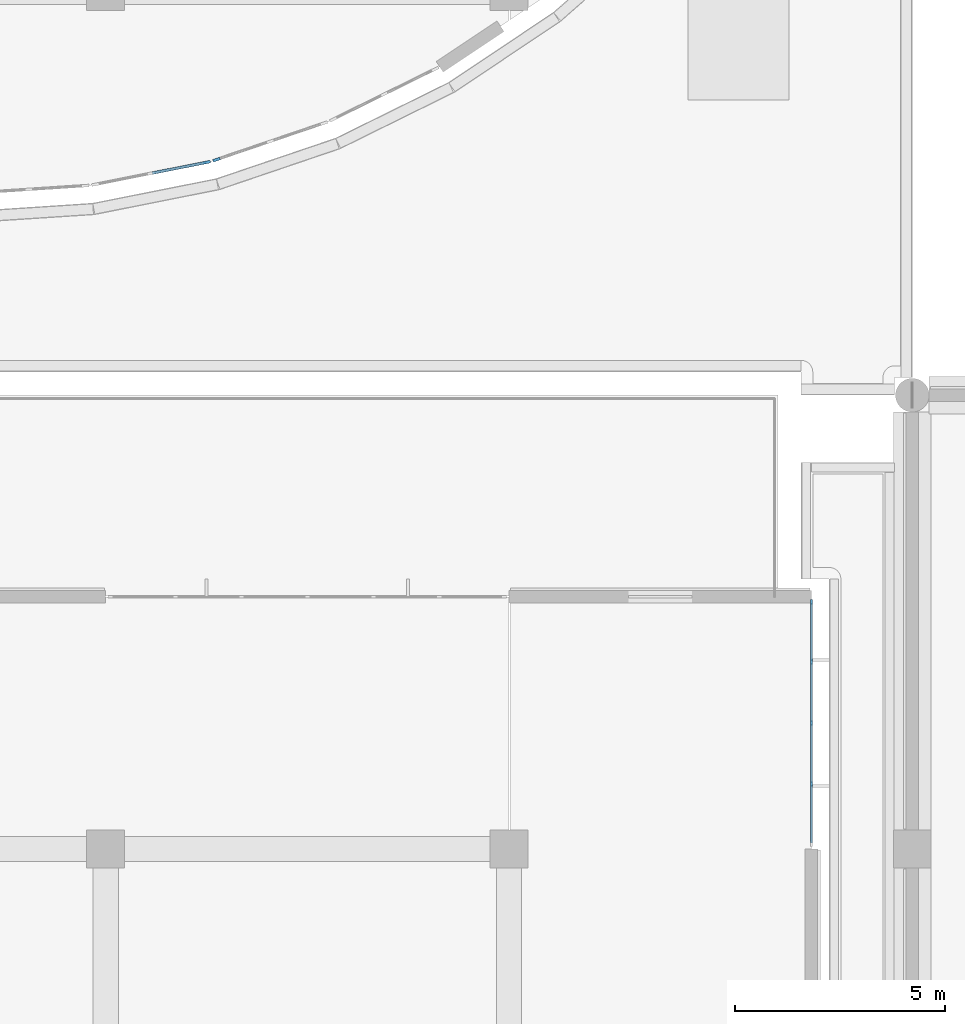
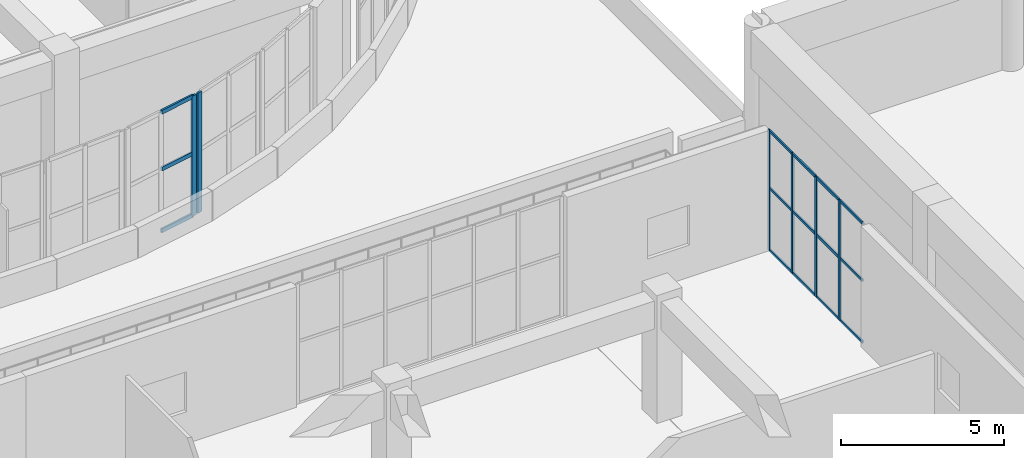
# One storey, part 16 of 96: 21 members, 3 elements without a shape of their own.
"""IFC4 building model written with IfcOpenShell, lengths in metres."""

from ifc_helpers import new_model, si_unit, direction, frame, origin, origin_2d, place, context, subcontext, project, spatial, rectangle, extrude, material, layer, layer_set, material_profile, profile_set, type_object, element, aggregate, save


model = new_model("IFC4")

# Units and contexts
model_context = context("Model", 3, precision=1e-05, world=origin(), true_north=direction((0.0, 1.0)))
body_context = subcontext(model_context, "Body", "Model", "MODEL_VIEW")
ifc_project = project(units=[si_unit("LENGTHUNIT", "METRE"), si_unit("AREAUNIT", "SQUARE_METRE"), si_unit("VOLUMEUNIT", "CUBIC_METRE"), si_unit("PLANEANGLEUNIT", "RADIAN"), si_unit("MASSUNIT", "GRAM", prefix="KILO")], contexts=[model_context])

# Site, building, storey
site_placement = place(None, origin())
site = spatial("IfcSite", under=ifc_project, at=site_placement, CompositionType="ELEMENT")
building_placement = place(site_placement, origin())
building = spatial("IfcBuilding", under=site, at=building_placement, Name="Cendralis Terraced Arcade", CompositionType="ELEMENT")
storey_placement = place(building_placement, frame((0.0, 0.0, 10.199951171875)))
storey = spatial("IfcBuildingStorey", under=building, at=storey_placement, Name="L02", CompositionType="ELEMENT", Elevation=10.199951171875)

# Curtain wall, members
ifc_material = material(Name="Anodised aluminium EN AW-6063 T6", Category="aluminium")
ifc_layer_1 = layer(ifc_material, 0.1201171875, Name="CW-STORE-B")
ifc_layer_set_1 = layer_set([ifc_layer_1], Name="Anodised aluminium EN AW-6063 T6")
curtain_wall_type_1 = type_object("IfcCurtainWallType", Name="CW-STORE-B", PredefinedType="USERDEFINED", material=ifc_layer_set_1)
curtain_wall_1_placement = place(storey_placement, origin())
curtain_wall_1 = element("IfcCurtainWall", 1, at=curtain_wall_1_placement, inside=storey, type_object=curtain_wall_type_1, Name="Exterior Storefront Glazing CW-L02-0225", ObjectType="STOREFRONT GLAZING", PredefinedType="USERDEFINED")
ifc_material_profile_1 = material_profile(ifc_material, rectangle(XDim=0.054931640625, YDim=0.1201171875, at=origin_2d()), Name="ALU-MUL-55x120")
ifc_profile_set_1 = profile_set([ifc_material_profile_1], Name="Anodised aluminium EN AW-6063 T6")
member_type_1 = type_object("IfcMemberType", Name="CW-STORE-B-MUL", PredefinedType="MULLION", material=ifc_profile_set_1)
member_1_placement = place(storey_placement, frame((64.800048828125, 55.08251953125, 0.0), z_axis=(0.0, 0.0, 1.0), x_axis=(1.0, 0.0, 0.0)))
member_1 = element("IfcMember", 2, at=member_1_placement, type_object=member_type_1, Name="CW-S2 mullion 1", PredefinedType="MULLION", context=body_context, shape_type="SweptSolid", body=[
    extrude(rectangle(XDim=0.054931640625, YDim=0.1201171875, at=origin_2d()), origin(), (0.0, 0.0, 1.0), 4.51513671875),
])
member_2_placement = place(storey_placement, frame((64.800048828125, 53.655029296875, 0.0), z_axis=(0.0, 0.0, 1.0), x_axis=(1.0, 0.0, 0.0)))
member_2 = element("IfcMember", 3, at=member_2_placement, type_object=member_type_1, Name="CW-S2 mullion 2", PredefinedType="MULLION", context=body_context, shape_type="SweptSolid", body=[
    extrude(rectangle(XDim=0.054931640625, YDim=0.1201171875, at=origin_2d()), origin(), (0.0, 0.0, 1.0), 4.51513671875),
])
member_3_placement = place(storey_placement, frame((64.800048828125, 52.199951171875, 0.0), z_axis=(0.0, 0.0, 1.0), x_axis=(1.0, 0.0, 0.0)))
member_3 = element("IfcMember", 4, at=member_3_placement, type_object=member_type_1, Name="CW-S2 mullion 3", PredefinedType="MULLION", context=body_context, shape_type="SweptSolid", body=[
    extrude(rectangle(XDim=0.054931640625, YDim=0.1201171875, at=origin_2d()), origin(), (0.0, 0.0, 1.0), 4.51513671875),
])
member_4_placement = place(storey_placement, frame((64.800048828125, 50.7451171875, 0.0), z_axis=(0.0, 0.0, 1.0), x_axis=(1.0, 0.0, 0.0)))
member_4 = element("IfcMember", 5, at=member_4_placement, type_object=member_type_1, Name="CW-S2 mullion 4", PredefinedType="MULLION", context=body_context, shape_type="SweptSolid", body=[
    extrude(rectangle(XDim=0.054931640625, YDim=0.1201171875, at=origin_2d()), origin(), (0.0, 0.0, 1.0), 4.51513671875),
])
ifc_material_profile_2 = material_profile(ifc_material, rectangle(XDim=0.054931640625, YDim=0.10009765625, at=origin_2d()), Name="ALU-TRN-55x100")
ifc_profile_set_2 = profile_set([ifc_material_profile_2], Name="Anodised aluminium EN AW-6063 T6")
member_type_2 = type_object("IfcMemberType", Name="CW-STORE-B-TRN", PredefinedType="USERDEFINED", material=ifc_profile_set_2)
member_5_placement = place(storey_placement, frame((64.800048828125, 55.054931640625, 0.027587890625), z_axis=(0.0, -1.0, 0.0), x_axis=(1.0, 0.0, 0.0)))
member_5 = element("IfcMember", 6, at=member_5_placement, type_object=member_type_2, Name="CW-S2 transom 1.1", ObjectType="TRANSOM", PredefinedType="USERDEFINED", context=body_context, shape_type="SweptSolid", body=[
    extrude(rectangle(XDim=0.054931640625, YDim=0.10009765625, at=origin_2d()), origin(), (0.0, 0.0, 1.0), 1.372314453125),
])
member_6_placement = place(storey_placement, frame((64.800048828125, 55.054931640625, 2.347900390625), z_axis=(0.0, -1.0, 0.0), x_axis=(1.0, 0.0, 0.0)))
member_6 = element("IfcMember", 7, at=member_6_placement, type_object=member_type_2, Name="CW-S2 transom 1.2", ObjectType="TRANSOM", PredefinedType="USERDEFINED", context=body_context, shape_type="SweptSolid", body=[
    extrude(rectangle(XDim=0.054931640625, YDim=0.10009765625, at=origin_2d()), origin(), (0.0, 0.0, 1.0), 1.372314453125),
])
member_7_placement = place(storey_placement, frame((64.800048828125, 55.054931640625, 4.487548828125), z_axis=(0.0, -1.0, 0.0), x_axis=(1.0, 0.0, 0.0)))
member_7 = element("IfcMember", 8, at=member_7_placement, type_object=member_type_2, Name="CW-S2 transom 1.3", ObjectType="TRANSOM", PredefinedType="USERDEFINED", context=body_context, shape_type="SweptSolid", body=[
    extrude(rectangle(XDim=0.054931640625, YDim=0.10009765625, at=origin_2d()), origin(), (0.0, 0.0, 1.0), 1.372314453125),
])
member_8_placement = place(storey_placement, frame((64.800048828125, 53.62744140625, 0.027587890625), z_axis=(0.0, -1.0, 0.0), x_axis=(1.0, 0.0, 0.0)))
member_8 = element("IfcMember", 9, at=member_8_placement, type_object=member_type_2, Name="CW-S2 transom 2.1", ObjectType="TRANSOM", PredefinedType="USERDEFINED", context=body_context, shape_type="SweptSolid", body=[
    extrude(rectangle(XDim=0.054931640625, YDim=0.10009765625, at=origin_2d()), origin(), (0.0, 0.0, 1.0), 1.39990234375),
])
member_9_placement = place(storey_placement, frame((64.800048828125, 53.62744140625, 2.347900390625), z_axis=(0.0, -1.0, 0.0), x_axis=(1.0, 0.0, 0.0)))
member_9 = element("IfcMember", 10, at=member_9_placement, type_object=member_type_2, Name="CW-S2 transom 2.2", ObjectType="TRANSOM", PredefinedType="USERDEFINED", context=body_context, shape_type="SweptSolid", body=[
    extrude(rectangle(XDim=0.054931640625, YDim=0.10009765625, at=origin_2d()), origin(), (0.0, 0.0, 1.0), 1.39990234375),
])
member_10_placement = place(storey_placement, frame((64.800048828125, 53.62744140625, 4.487548828125), z_axis=(0.0, -1.0, 0.0), x_axis=(1.0, 0.0, 0.0)))
member_10 = element("IfcMember", 11, at=member_10_placement, type_object=member_type_2, Name="CW-S2 transom 2.3", ObjectType="TRANSOM", PredefinedType="USERDEFINED", context=body_context, shape_type="SweptSolid", body=[
    extrude(rectangle(XDim=0.054931640625, YDim=0.10009765625, at=origin_2d()), origin(), (0.0, 0.0, 1.0), 1.39990234375),
])
member_11_placement = place(storey_placement, frame((64.800048828125, 52.172607421875, 0.027587890625), z_axis=(0.0, -1.0, 0.0), x_axis=(1.0, 0.0, 0.0)))
member_11 = element("IfcMember", 12, at=member_11_placement, type_object=member_type_2, Name="CW-S2 transom 3.1", ObjectType="TRANSOM", PredefinedType="USERDEFINED", context=body_context, shape_type="SweptSolid", body=[
    extrude(rectangle(XDim=0.054931640625, YDim=0.10009765625, at=origin_2d()), origin(), (0.0, 0.0, 1.0), 1.400146484375),
])
member_12_placement = place(storey_placement, frame((64.800048828125, 52.172607421875, 2.347900390625), z_axis=(0.0, -1.0, 0.0), x_axis=(1.0, 0.0, 0.0)))
member_12 = element("IfcMember", 13, at=member_12_placement, type_object=member_type_2, Name="CW-S2 transom 3.2", ObjectType="TRANSOM", PredefinedType="USERDEFINED", context=body_context, shape_type="SweptSolid", body=[
    extrude(rectangle(XDim=0.054931640625, YDim=0.10009765625, at=origin_2d()), origin(), (0.0, 0.0, 1.0), 1.400146484375),
])
member_13_placement = place(storey_placement, frame((64.800048828125, 52.172607421875, 4.487548828125), z_axis=(0.0, -1.0, 0.0), x_axis=(1.0, 0.0, 0.0)))
member_13 = element("IfcMember", 14, at=member_13_placement, type_object=member_type_2, Name="CW-S2 transom 3.3", ObjectType="TRANSOM", PredefinedType="USERDEFINED", context=body_context, shape_type="SweptSolid", body=[
    extrude(rectangle(XDim=0.054931640625, YDim=0.10009765625, at=origin_2d()), origin(), (0.0, 0.0, 1.0), 1.400146484375),
])
member_14_placement = place(storey_placement, frame((64.800048828125, 50.717529296875, 0.027587890625), z_axis=(0.0, -1.0, 0.0), x_axis=(1.0, 0.0, 0.0)))
member_14 = element("IfcMember", 15, at=member_14_placement, type_object=member_type_2, Name="CW-S2 transom 4.1", ObjectType="TRANSOM", PredefinedType="USERDEFINED", context=body_context, shape_type="SweptSolid", body=[
    extrude(rectangle(XDim=0.054931640625, YDim=0.10009765625, at=origin_2d()), origin(), (0.0, 0.0, 1.0), 1.37255859375),
])
member_15_placement = place(storey_placement, frame((64.800048828125, 50.717529296875, 2.347900390625), z_axis=(0.0, -1.0, 0.0), x_axis=(1.0, 0.0, 0.0)))
member_15 = element("IfcMember", 16, at=member_15_placement, type_object=member_type_2, Name="CW-S2 transom 4.2", ObjectType="TRANSOM", PredefinedType="USERDEFINED", context=body_context, shape_type="SweptSolid", body=[
    extrude(rectangle(XDim=0.054931640625, YDim=0.10009765625, at=origin_2d()), origin(), (0.0, 0.0, 1.0), 1.37255859375),
])
member_16_placement = place(storey_placement, frame((64.800048828125, 50.717529296875, 4.487548828125), z_axis=(0.0, -1.0, 0.0), x_axis=(1.0, 0.0, 0.0)))
member_16 = element("IfcMember", 17, at=member_16_placement, type_object=member_type_2, Name="CW-S2 transom 4.3", ObjectType="TRANSOM", PredefinedType="USERDEFINED", context=body_context, shape_type="SweptSolid", body=[
    extrude(rectangle(XDim=0.054931640625, YDim=0.10009765625, at=origin_2d()), origin(), (0.0, 0.0, 1.0), 1.37255859375),
])
aggregate(curtain_wall_1, [member_1, member_2, member_3, member_4, member_5, member_6, member_7, member_8, member_9, member_10, member_11, member_12, member_13, member_14, member_15, member_16])

# Curtain wall, member
ifc_layer_2 = layer(ifc_material, 0.179931640625, Name="CW-UNIT-A")
ifc_layer_set_2 = layer_set([ifc_layer_2], Name="Anodised aluminium EN AW-6063 T6")
curtain_wall_type_2 = type_object("IfcCurtainWallType", Name="CW-UNIT-A", PredefinedType="USERDEFINED", material=ifc_layer_set_2)
curtain_wall_2_placement = place(storey_placement, origin())
curtain_wall_2 = element("IfcCurtainWall", 18, at=curtain_wall_2_placement, inside=storey, type_object=curtain_wall_type_2, Name="Exterior Unitised Facade CW-L02-0124", ObjectType="UNITISED FACADE", PredefinedType="USERDEFINED")
ifc_material_profile_3 = material_profile(ifc_material, rectangle(XDim=0.06494140625, YDim=0.179931640625, at=origin_2d()), Name="ALU-MUL-65x180")
ifc_profile_set_3 = profile_set([ifc_material_profile_3], Name="Anodised aluminium EN AW-6063 T6")
member_type_3 = type_object("IfcMemberType", Name="CW-UNIT-A-MUL", PredefinedType="MULLION", material=ifc_profile_set_3)
member_17_placement = place(storey_placement, frame((50.639404296875, 65.60595703125, 0.0), z_axis=(0.0, 0.0, 1.0), x_axis=(0.321434268814, -0.94693189345, 0.0)))
member_17 = element("IfcMember", 19, at=member_17_placement, type_object=member_type_3, Name="CW-U1 mullion 3", PredefinedType="MULLION", context=body_context, shape_type="SweptSolid", body=[
    extrude(rectangle(XDim=0.06494140625, YDim=0.179931640625, at=origin_2d()), origin(), (0.0, 0.0, 1.0), 4.51513671875),
])
aggregate(curtain_wall_2, [member_17])

# Curtain wall, members
curtain_wall_3_placement = place(storey_placement, origin())
curtain_wall_3 = element("IfcCurtainWall", 20, at=curtain_wall_3_placement, inside=storey, type_object=curtain_wall_type_2, Name="Exterior Unitised Facade CW-L02-0125", ObjectType="UNITISED FACADE", PredefinedType="USERDEFINED")
member_18_placement = place(storey_placement, frame((50.4033203125, 65.542724609375, 0.0), z_axis=(0.0, 0.0, 1.0), x_axis=(0.195072039192, -0.980788916906, 0.0)))
member_18 = element("IfcMember", 21, at=member_18_placement, type_object=member_type_3, Name="CW-U1 mullion 1", PredefinedType="MULLION", context=body_context, shape_type="SweptSolid", body=[
    extrude(rectangle(XDim=0.06494140625, YDim=0.179931640625, at=origin_2d()), origin(), (0.0, 0.0, 1.0), 4.51513671875),
])
ifc_material_profile_4 = material_profile(ifc_material, rectangle(XDim=0.06494140625, YDim=0.14990234375, at=origin_2d()), Name="ALU-TRN-65x150")
ifc_profile_set_4 = profile_set([ifc_material_profile_4], Name="Anodised aluminium EN AW-6063 T6")
member_type_4 = type_object("IfcMemberType", Name="CW-UNIT-A-TRN", PredefinedType="USERDEFINED", material=ifc_profile_set_4)
member_19_placement = place(storey_placement, frame((50.371337890625, 65.536376953125, 0.032470703125), z_axis=(-0.980784916239, -0.195092152784, 0.0), x_axis=(0.195092152784, -0.980784916239, 0.0)))
member_19 = element("IfcMember", 22, at=member_19_placement, type_object=member_type_4, Name="CW-U1 transom 1.1", ObjectType="TRANSOM", PredefinedType="USERDEFINED", context=body_context, shape_type="SweptSolid", body=[
    extrude(rectangle(XDim=0.06494140625, YDim=0.14990234375, at=origin_2d()), origin(), (0.0, 0.0, 1.0), 1.283935546875),
])
member_20_placement = place(storey_placement, frame((50.371337890625, 65.536376953125, 2.347900390625), z_axis=(-0.980784916239, -0.195092152784, 0.0), x_axis=(0.195092152784, -0.980784916239, 0.0)))
member_20 = element("IfcMember", 23, at=member_20_placement, type_object=member_type_4, Name="CW-U1 transom 1.2", ObjectType="TRANSOM", PredefinedType="USERDEFINED", context=body_context, shape_type="SweptSolid", body=[
    extrude(rectangle(XDim=0.06494140625, YDim=0.14990234375, at=origin_2d()), origin(), (0.0, 0.0, 1.0), 1.283935546875),
])
member_21_placement = place(storey_placement, frame((50.371337890625, 65.536376953125, 4.482666015625), z_axis=(-0.980784916239, -0.195092152784, 0.0), x_axis=(0.195092152784, -0.980784916239, 0.0)))
member_21 = element("IfcMember", 24, at=member_21_placement, type_object=member_type_4, Name="CW-U1 transom 1.3", ObjectType="TRANSOM", PredefinedType="USERDEFINED", context=body_context, shape_type="SweptSolid", body=[
    extrude(rectangle(XDim=0.06494140625, YDim=0.14990234375, at=origin_2d()), origin(), (0.0, 0.0, 1.0), 1.283935546875),
])
aggregate(curtain_wall_3, [member_18, member_19, member_20, member_21])

save(model, "model.ifc")
